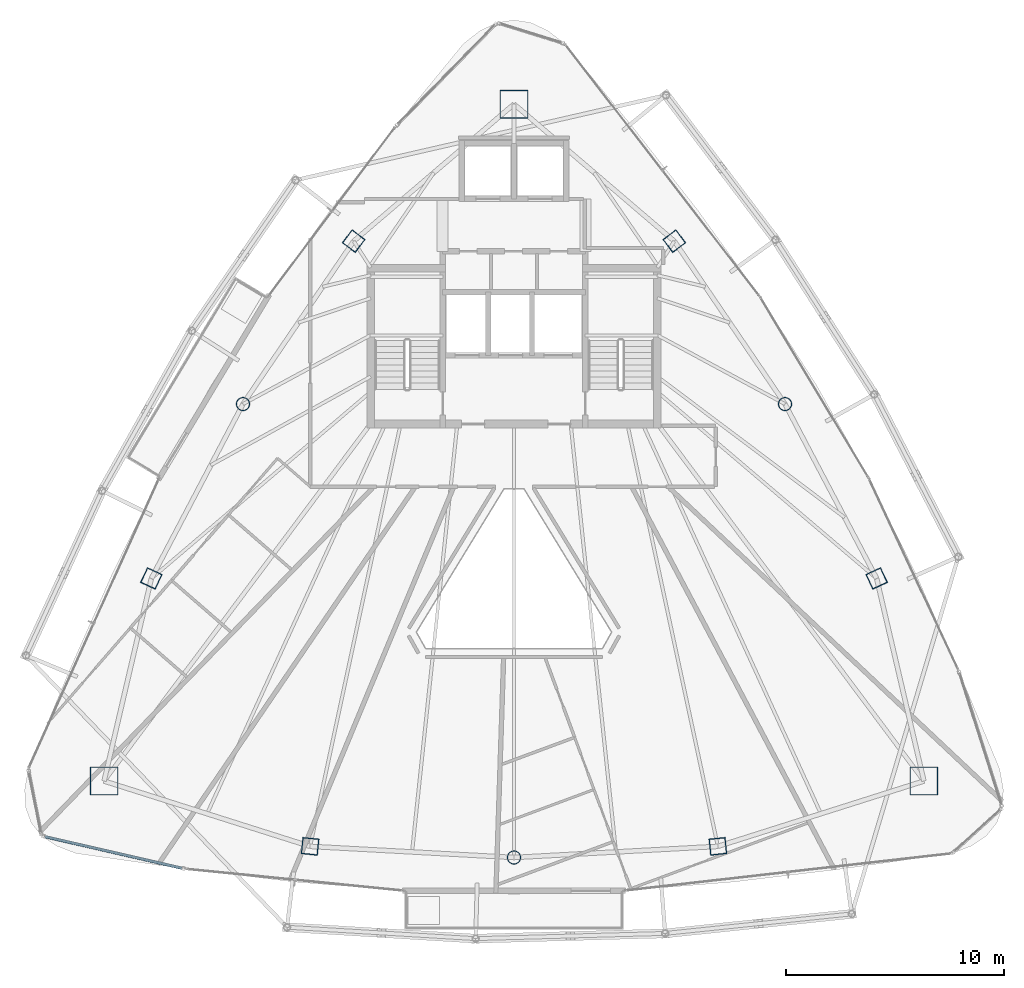
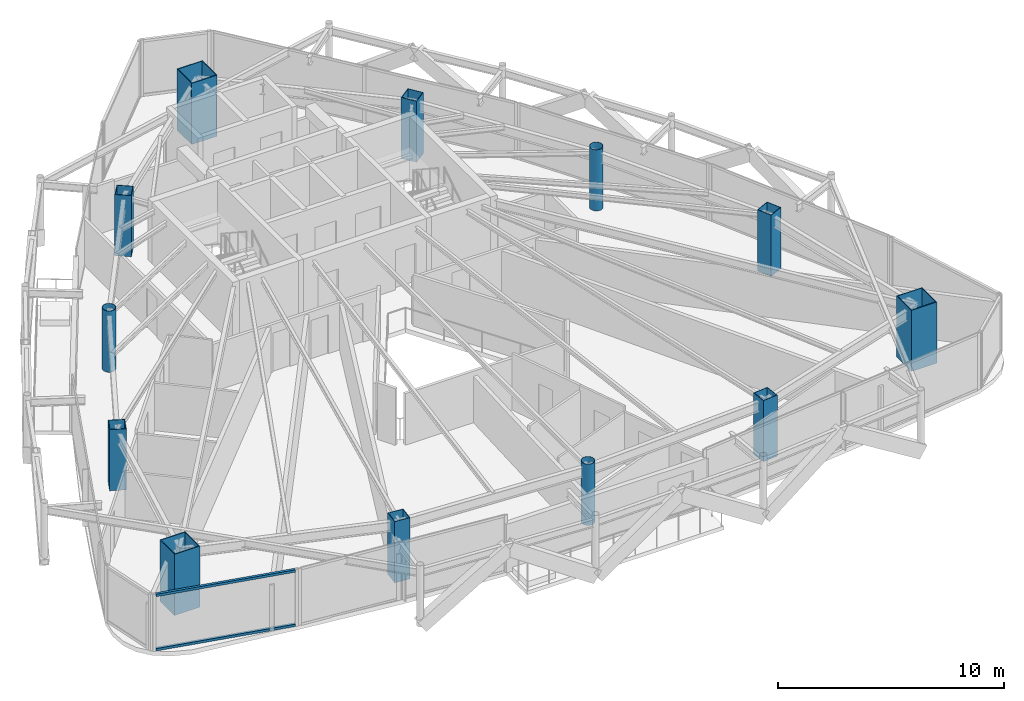
# One storey, part 1 of 30: 12 columns, 2 members, 1 element without a shape of its own.
"""IFC4 building model written with IfcOpenShell, lengths in metres."""

from ifc_helpers import new_model, si_unit, direction, frame, origin, origin_2d, place, context, subcontext, project, spatial, hollow_rectangle, hollow_circle, extrude, material, layer, layer_set, material_profile, profile_set, type_object, element, aggregate, save


model = new_model("IFC4")

# Units and contexts
model_context = context("Model", 3, precision=1e-05, world=origin(), true_north=direction((0.0, 1.0)))
body_context = subcontext(model_context, "Body", "Model", "MODEL_VIEW")
ifc_project = project(units=[si_unit("LENGTHUNIT", "METRE"), si_unit("AREAUNIT", "SQUARE_METRE"), si_unit("VOLUMEUNIT", "CUBIC_METRE"), si_unit("PLANEANGLEUNIT", "RADIAN"), si_unit("MASSUNIT", "GRAM", prefix="KILO")], contexts=[model_context])

# Site, building, storey
site_placement = place(None, origin())
site = spatial("IfcSite", under=ifc_project, at=site_placement, CompositionType="ELEMENT")
building_placement = place(site_placement, origin())
building = spatial("IfcBuilding", under=site, at=building_placement, Name="Orvanel Arch Residences", CompositionType="ELEMENT")
storey_placement = place(building_placement, frame((0.0, 0.0, 240.35009765625)))
storey = spatial("IfcBuildingStorey", under=building, at=storey_placement, Name="L68", CompositionType="ELEMENT", Elevation=240.35009765625)

# Columns
ifc_material_1 = material(Name="Structural steel AS/NZS 1163 C350L0 (Grade 350)", Category="steel")
ifc_material_profile_1 = material_profile(ifc_material_1, hollow_circle(Radius=0.304931640625, WallThickness=0.01611328125, at=origin_2d()), Name="CHS610x16")
ifc_profile_set_1 = profile_set([ifc_material_profile_1], Name="Structural steel AS/NZS 1163 C350L0 (Grade 350)")
column_type_1 = type_object("IfcColumnType", Name="CC-610", PredefinedType="COLUMN", material=ifc_profile_set_1)
for number, where, z_axis, x_axis, name in (
    (1, (20.569091796875, 27.64111328125, 0.0), (0.0, 0.0, 1.0), (1.0, 0.0, 0.0), "L68 High-Rise Tube Column 02"),
    (2, (33.0, 6.843994140625, 0.0), (0.0, 0.0, 1.0), (1.0, 0.0, 0.0), "L68 High-Rise Tube Column 05"),
    (3, (45.430908203125, 27.64111328125, 0.0), (0.0, 0.0, 1.0), (1.0, 0.0, 0.0), "L68 High-Rise Tube Column 08"),
):
    element("IfcColumn", number, at=place(storey_placement, frame(where, z_axis=z_axis, x_axis=x_axis)), inside=storey, type_object=column_type_1, Name=name, PredefinedType="COLUMN", context=body_context, shape_type="SweptSolid", body=[
        extrude(hollow_circle(Radius=0.304931640625, WallThickness=0.01611328125, at=origin_2d()), origin(), (0.0, 0.0, 1.0), 3.2998046875),
    ])
ifc_material_2 = material(Name="Structural steel AS/NZS 3678 Grade 450", Category="steel")
ifc_material_profile_2 = material_profile(ifc_material_2, hollow_rectangle(XDim=1.300048828125, YDim=1.300048828125, WallThickness=0.0400390625, at=origin_2d()), Name="BOX1300x1300x40")
ifc_profile_set_2 = profile_set([ifc_material_profile_2], Name="Structural steel AS/NZS 3678 Grade 450")
column_type_2 = type_object("IfcColumnType", Name="MC-1300", PredefinedType="COLUMN", material=ifc_profile_set_2)
for number, where, z_axis, x_axis, name in (
    (4, (33.0, 41.39794921875, 0.0), (0.0, 0.0, 1.0), (1.0, 0.0, 0.0), "L68 Corner Mega-Column 1"),
    (5, (14.198974609375, 10.35107421875, 0.0), (0.0, 0.0, 1.0), (1.0, 0.0, 0.0), "L68 Corner Mega-Column 2"),
    (6, (51.801025390625, 10.35107421875, 0.0), (0.0, 0.0, 1.0), (1.0, 0.0, 0.0), "L68 Corner Mega-Column 3"),
):
    element("IfcColumn", number, at=place(storey_placement, frame(where, z_axis=z_axis, x_axis=x_axis)), inside=storey, type_object=column_type_2, Name=name, PredefinedType="COLUMN", context=body_context, shape_type="SweptSolid", body=[
        extrude(hollow_rectangle(XDim=1.300048828125, YDim=1.300048828125, WallThickness=0.0400390625, at=origin_2d()), origin(), (0.0, 0.0, 1.0), 3.2998046875),
    ])
ifc_material_3 = material(Name="Structural steel AS/NZS 3678 Grade 350", Category="steel")
ifc_material_profile_3 = material_profile(ifc_material_3, hollow_rectangle(XDim=0.75, YDim=0.75, WallThickness=0.02490234375, at=origin_2d()), Name="BOX750x750x25")
ifc_profile_set_3 = profile_set([ifc_material_profile_3], Name="Structural steel AS/NZS 3678 Grade 350")
column_type_3 = type_object("IfcColumnType", Name="TC-750", PredefinedType="COLUMN", material=ifc_profile_set_3)
for number, where, z_axis, x_axis, name in (
    (7, (25.64794921875, 35.113037109375, 0.0), (0.0, 0.0, 1.0), (0.600420225326, 0.799684658487, 0.0), "L68 High-Rise Tube Column 01"),
    (8, (16.366943359375, 19.64208984375, 0.0), (0.0, 0.0, 1.0), (0.422618261741, 0.906307787037, 0.0), "L68 High-Rise Tube Column 03"),
    (9, (23.64892578125, 7.35498046875, 0.0), (0.0, 0.0, 1.0), (-0.994880708829, 0.101056297183, 0.0), "L68 High-Rise Tube Column 04"),
    (10, (42.35107421875, 7.35498046875, 0.0), (0.0, 0.0, 1.0), (0.994880708829, 0.101056297183, 0.0), "L68 High-Rise Tube Column 06"),
    (11, (49.633056640625, 19.64208984375, 0.0), (0.0, 0.0, 1.0), (-0.422618261741, 0.906307787037, 0.0), "L68 High-Rise Tube Column 07"),
    (12, (40.35205078125, 35.113037109375, 0.0), (0.0, 0.0, 1.0), (-0.600420225326, 0.799684658487, 0.0), "L68 High-Rise Tube Column 09"),
):
    element("IfcColumn", number, at=place(storey_placement, frame(where, z_axis=z_axis, x_axis=x_axis)), inside=storey, type_object=column_type_3, Name=name, PredefinedType="COLUMN", context=body_context, shape_type="SweptSolid", body=[
        extrude(hollow_rectangle(XDim=0.75, YDim=0.75, WallThickness=0.02490234375, at=origin_2d()), origin(), (0.0, 0.0, 1.0), 3.2998046875),
    ])

# Curtain wall, members
ifc_material_4 = material(Name="Bronze-anodised aluminium AA6063-T6", Category="aluminium")
ifc_layer = layer(ifc_material_4, 0.18994140625)
ifc_layer_set = layer_set([ifc_layer], Name="Bronze-anodised aluminium AA6063-T6")
curtain_wall_type = type_object("IfcCurtainWallType", Name="CW5-CRN-SYS", PredefinedType="NOTDEFINED", material=ifc_layer_set)
curtain_wall_placement = place(storey_placement, origin())
curtain_wall = element("IfcCurtainWall", 13, at=curtain_wall_placement, inside=storey, type_object=curtain_wall_type, Name="L68 CW5-CRN-SYS Unitised Curtain Wall", PredefinedType="NOTDEFINED")
ifc_material_profile_4 = material_profile(ifc_material_4, hollow_rectangle(XDim=0.1298828125, YDim=0.1298828125, WallThickness=0.00439453125, at=origin_2d()), Name="ALU130x130x4.5")
ifc_profile_set_4 = profile_set([ifc_material_profile_4], Name="Bronze-anodised aluminium AA6063-T6")
member_type = type_object("IfcMemberType", Name="TRN-130x130", PredefinedType="USERDEFINED", material=ifc_profile_set_4)
member_1_placement = place(storey_placement, frame((11.4951171875, 7.79931640625, 0.06494140625), z_axis=(0.974558417971, -0.224133643085, 0.0), x_axis=(0.224133643085, 0.974558417971, 0.0)))
member_1 = element("IfcMember", 14, at=member_1_placement, type_object=member_type, Name="CW-S5 transom 1.1", ObjectType="TRANSOM", PredefinedType="USERDEFINED", context=body_context, shape_type="SweptSolid", body=[
    extrude(hollow_rectangle(XDim=0.1298828125, YDim=0.1298828125, WallThickness=0.00439453125, at=origin_2d()), origin(), (0.0, 0.0, 1.0), 6.4365234375),
])
member_2_placement = place(storey_placement, frame((11.4951171875, 7.79931640625, 2.994873046875), z_axis=(0.974558417971, -0.224133643085, 0.0), x_axis=(0.224133643085, 0.974558417971, 0.0)))
member_2 = element("IfcMember", 15, at=member_2_placement, type_object=member_type, Name="CW-S5 transom 1.2", ObjectType="TRANSOM", PredefinedType="USERDEFINED", context=body_context, shape_type="SweptSolid", body=[
    extrude(hollow_rectangle(XDim=0.1298828125, YDim=0.1298828125, WallThickness=0.00439453125, at=origin_2d()), origin(), (0.0, 0.0, 1.0), 6.4365234375),
])
aggregate(curtain_wall, [member_1, member_2])

save(model, "model.ifc")
